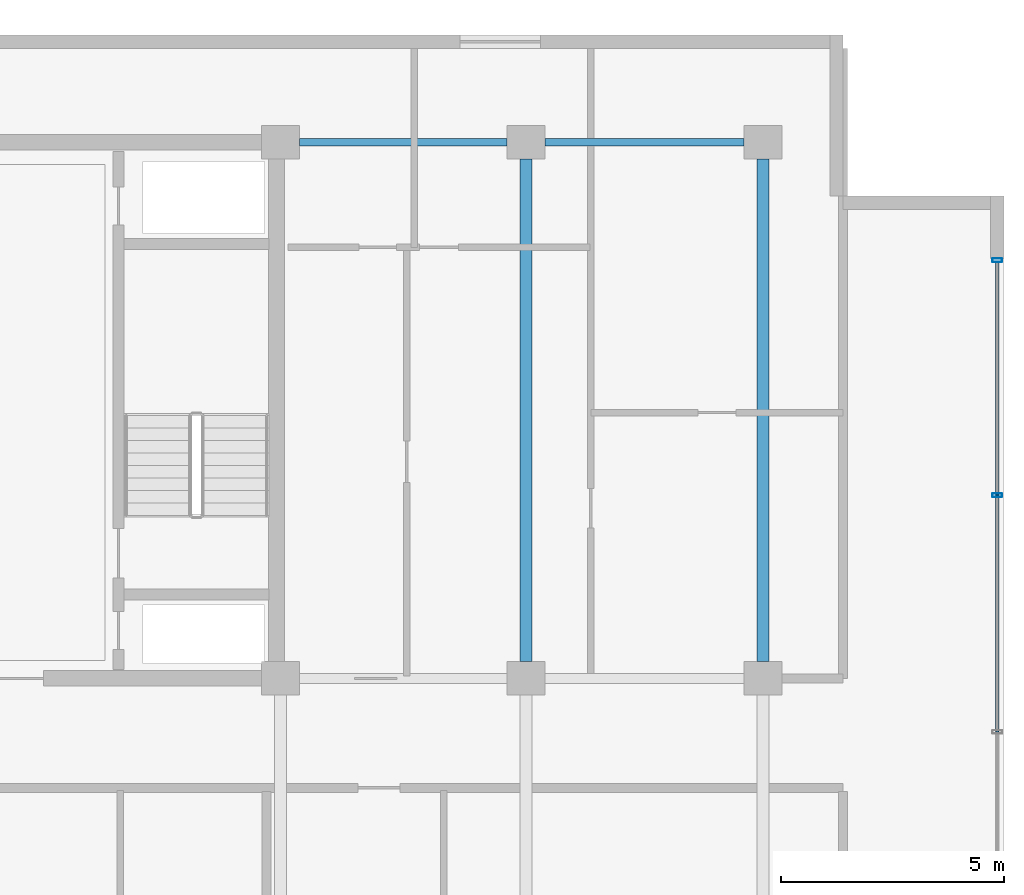
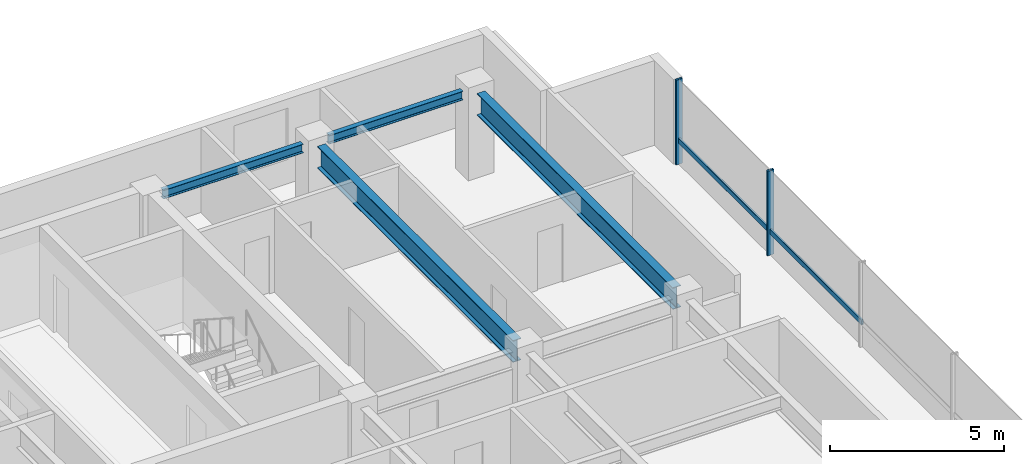
# One storey, part 9 of 38: 4 beams, 4 members, 1 element without a shape of its own.
"""IFC4 building model written with IfcOpenShell, lengths in metres."""

from ifc_helpers import new_model, si_unit, direction, frame, origin, origin_2d, place, context, subcontext, project, spatial, hollow_rectangle, i_section, extrude, material, layer, layer_set, material_profile, profile_set, type_object, element, aggregate, save


model = new_model("IFC4")

# Units and contexts
model_context = context("Model", 3, precision=1e-05, world=origin(), true_north=direction((0.0, 1.0)))
body_context = subcontext(model_context, "Body", "Model", "MODEL_VIEW")
ifc_project = project(units=[si_unit("LENGTHUNIT", "METRE"), si_unit("AREAUNIT", "SQUARE_METRE"), si_unit("VOLUMEUNIT", "CUBIC_METRE"), si_unit("PLANEANGLEUNIT", "RADIAN"), si_unit("MASSUNIT", "GRAM", prefix="KILO")], contexts=[model_context])

# Site, building, storey
site_placement = place(None, origin())
site = spatial("IfcSite", under=ifc_project, at=site_placement, CompositionType="ELEMENT")
building_placement = place(site_placement, origin())
building = spatial("IfcBuilding", under=site, at=building_placement, Name="Korimba Cascade Residences", CompositionType="ELEMENT")
storey_placement = place(building_placement, frame((0.0, 0.0, 93.800048828125)))
storey = spatial("IfcBuildingStorey", under=building, at=storey_placement, Name="L26", CompositionType="ELEMENT", Elevation=93.800048828125)

# Beams
ifc_material_1 = material(Name="Steel S355", Category="steel")
ifc_material_profile_1 = material_profile(ifc_material_1, i_section(OverallWidth=0.165771484375, OverallDepth=0.306640625, WebThickness=0.006591796875, FlangeThickness=0.01171875, FilletRadius=0.0087890625, at=origin_2d()), Name="Steel S355")
ifc_profile_set_1 = profile_set([ifc_material_profile_1], Name="Steel S355")
beam_type_1 = type_object("IfcBeamType", Name="BM-STL-UB305", PredefinedType="SPANDREL", material=ifc_profile_set_1)
beam_1_placement = place(storey_placement, frame((118.52490234375, 30.39990234375, 2.816650390625), z_axis=(1.0, 0.0, 0.0), x_axis=(0.0, 1.0, 0.0)))
element("IfcBeam", 1, at=beam_1_placement, inside=storey, type_object=beam_type_1, Name="L26 T2 E-W Girder Y4 Bay 6", PredefinedType="SPANDREL", context=body_context, shape_type="SweptSolid", body=[
    extrude(i_section(OverallWidth=0.165771484375, OverallDepth=0.306640625, WebThickness=0.006591796875, FlangeThickness=0.01171875, FilletRadius=0.0087890625, at=origin_2d()), origin(), (0.0, 0.0, 1.0), 4.650146484375),
])
beam_2_placement = place(storey_placement, frame((124.02490234375, 30.39990234375, 2.816650390625), z_axis=(1.0, 0.0, 0.0), x_axis=(0.0, 1.0, 0.0)))
element("IfcBeam", 2, at=beam_2_placement, inside=storey, type_object=beam_type_1, Name="L26 T2 E-W Girder Y4 Bay 7", PredefinedType="SPANDREL", context=body_context, shape_type="SweptSolid", body=[
    extrude(i_section(OverallWidth=0.165771484375, OverallDepth=0.306640625, WebThickness=0.006591796875, FlangeThickness=0.01171875, FilletRadius=0.0087890625, at=origin_2d()), origin(), (0.0, 0.0, 1.0), 4.4501953125),
])
ifc_material_profile_2 = material_profile(ifc_material_1, i_section(OverallWidth=0.26806640625, OverallDepth=0.769775390625, WebThickness=0.015625, FlangeThickness=0.025390625, FilletRadius=0.0166015625, at=origin_2d()), Name="Steel S355")
ifc_profile_set_2 = profile_set([ifc_material_profile_2], Name="Steel S355")
beam_type_2 = type_object("IfcBeamType", Name="BM-STL-UB762", PredefinedType="BEAM", material=ifc_profile_set_2)
for number, where, z_axis, x_axis, name in (
    (3, (123.60009765625, 18.77490234375, 2.5849609375), (0.0, 1.0, 0.0), (-1.0, 0.0, 0.0), "L26 T2 N-S Girder X7 Seg 3"),
    (4, (128.89990234375, 18.77490234375, 2.5849609375), (0.0, 1.0, 0.0), (-1.0, 0.0, 0.0), "L26 T2 N-S Girder X8 Seg 3"),
):
    element("IfcBeam", number, at=place(storey_placement, frame(where, z_axis=z_axis, x_axis=x_axis)), inside=storey, type_object=beam_type_2, Name=name, PredefinedType="BEAM", context=body_context, shape_type="SweptSolid", body=[
        extrude(i_section(OverallWidth=0.26806640625, OverallDepth=0.769775390625, WebThickness=0.015625, FlangeThickness=0.025390625, FilletRadius=0.0166015625, at=origin_2d()), origin(), (0.0, 0.0, 1.0), 11.25),
    ])

# Curtain wall, members
ifc_material_2 = material(Name="Anodised Aluminium Curtain Wall Framing", Category="aluminium")
ifc_layer = layer(ifc_material_2, 0.179931640625)
ifc_layer_set = layer_set([ifc_layer], Name="Anodised Aluminium Curtain Wall Framing")
curtain_wall_type = type_object("IfcCurtainWallType", Name="CW-SKY-SYS2", PredefinedType="NOTDEFINED", material=ifc_layer_set)
curtain_wall_placement = place(storey_placement, origin())
curtain_wall = element("IfcCurtainWall", 5, at=curtain_wall_placement, inside=storey, type_object=curtain_wall_type, Name="L26 Curtain Wall CW-L26-T2-E3", PredefinedType="NOTDEFINED")
ifc_material_3 = material(Name="Anodised Aluminium Mullion", Category="aluminium")
ifc_material_profile_3 = material_profile(ifc_material_3, hollow_rectangle(XDim=0.080078125, YDim=0.219970703125, WallThickness=0.00634765625, InnerFilletRadius=0.00634765625, OuterFilletRadius=0.0126953125, at=origin_2d()), Name="Anodised Aluminium Mullion")
ifc_profile_set_3 = profile_set([ifc_material_profile_3], Name="Anodised Aluminium Mullion")
member_type_1 = type_object("IfcMemberType", Name="CWM-MUL-220", PredefinedType="MULLION", material=ifc_profile_set_3)
member_1_placement = place(storey_placement, frame((134.14990234375, 22.5, 0.0), z_axis=(0.0, 0.0, 1.0), x_axis=(0.0, 1.0, 0.0)))
member_1 = element("IfcMember", 6, at=member_1_placement, type_object=member_type_1, Name="CW-L26-T2-E3 Mullion 6", PredefinedType="MULLION", context=body_context, shape_type="SweptSolid", body=[
    extrude(hollow_rectangle(XDim=0.080078125, YDim=0.219970703125, WallThickness=0.00634765625, InnerFilletRadius=0.00634765625, OuterFilletRadius=0.0126953125, at=origin_2d()), origin(), (0.0, 0.0, 1.0), 2.969970703125),
])
member_2_placement = place(storey_placement, frame((134.14990234375, 27.760009765625, 0.0), z_axis=(0.0, 0.0, 1.0), x_axis=(0.0, 1.0, 0.0)))
member_2 = element("IfcMember", 7, at=member_2_placement, type_object=member_type_1, Name="CW-L26-T2-E3 Mullion 7", PredefinedType="MULLION", context=body_context, shape_type="SweptSolid", body=[
    extrude(hollow_rectangle(XDim=0.080078125, YDim=0.219970703125, WallThickness=0.00634765625, InnerFilletRadius=0.00634765625, OuterFilletRadius=0.0126953125, at=origin_2d()), origin(), (0.0, 0.0, 1.0), 2.969970703125),
])
ifc_material_4 = material(Name="Anodised Aluminium Transom", Category="aluminium")
ifc_material_profile_4 = material_profile(ifc_material_4, hollow_rectangle(XDim=0.070068359375, YDim=0.179931640625, WallThickness=0.0048828125, InnerFilletRadius=0.0048828125, OuterFilletRadius=0.010009765625, at=origin_2d()), Name="Anodised Aluminium Transom")
ifc_profile_set_4 = profile_set([ifc_material_profile_4], Name="Anodised Aluminium Transom")
member_type_2 = type_object("IfcMemberType", Name="CWM-TRN-150", PredefinedType="USERDEFINED", material=ifc_profile_set_4)
member_3_placement = place(storey_placement, frame((134.14990234375, 17.199951171875, 0.83154296875), z_axis=(0.0, 1.0, 0.0), x_axis=(-1.0, 0.0, 0.0)))
member_3 = element("IfcMember", 8, at=member_3_placement, type_object=member_type_2, Name="CW-L26-T2-E3 Transom 5", ObjectType="TRANSOM", PredefinedType="USERDEFINED", context=body_context, shape_type="SweptSolid", body=[
    extrude(hollow_rectangle(XDim=0.070068359375, YDim=0.179931640625, WallThickness=0.0048828125, InnerFilletRadius=0.0048828125, OuterFilletRadius=0.010009765625, at=origin_2d()), origin(), (0.0, 0.0, 1.0), 5.300048828125),
])
member_4_placement = place(storey_placement, frame((134.14990234375, 22.5, 0.83154296875), z_axis=(0.0, 1.0, 0.0), x_axis=(-1.0, 0.0, 0.0)))
member_4 = element("IfcMember", 9, at=member_4_placement, type_object=member_type_2, Name="CW-L26-T2-E3 Transom 6", ObjectType="TRANSOM", PredefinedType="USERDEFINED", context=body_context, shape_type="SweptSolid", body=[
    extrude(hollow_rectangle(XDim=0.070068359375, YDim=0.179931640625, WallThickness=0.0048828125, InnerFilletRadius=0.0048828125, OuterFilletRadius=0.010009765625, at=origin_2d()), origin(), (0.0, 0.0, 1.0), 5.260009765625),
])
aggregate(curtain_wall, [member_1, member_2, member_3, member_4])

save(model, "model.ifc")
